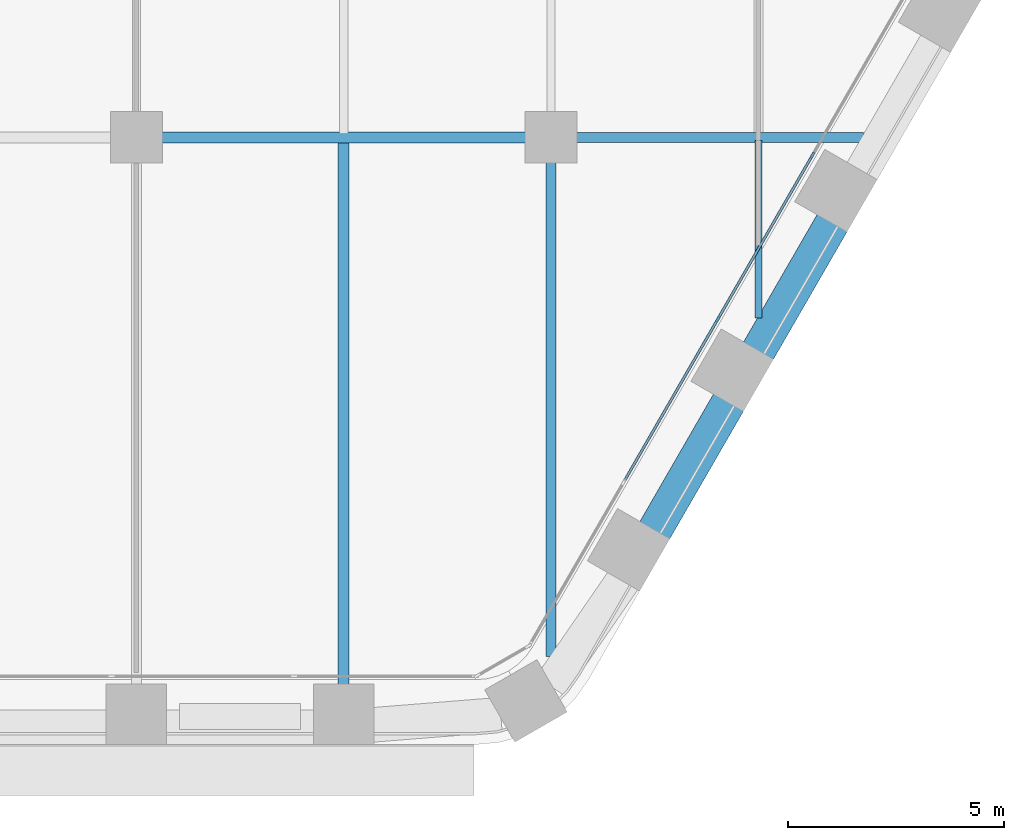
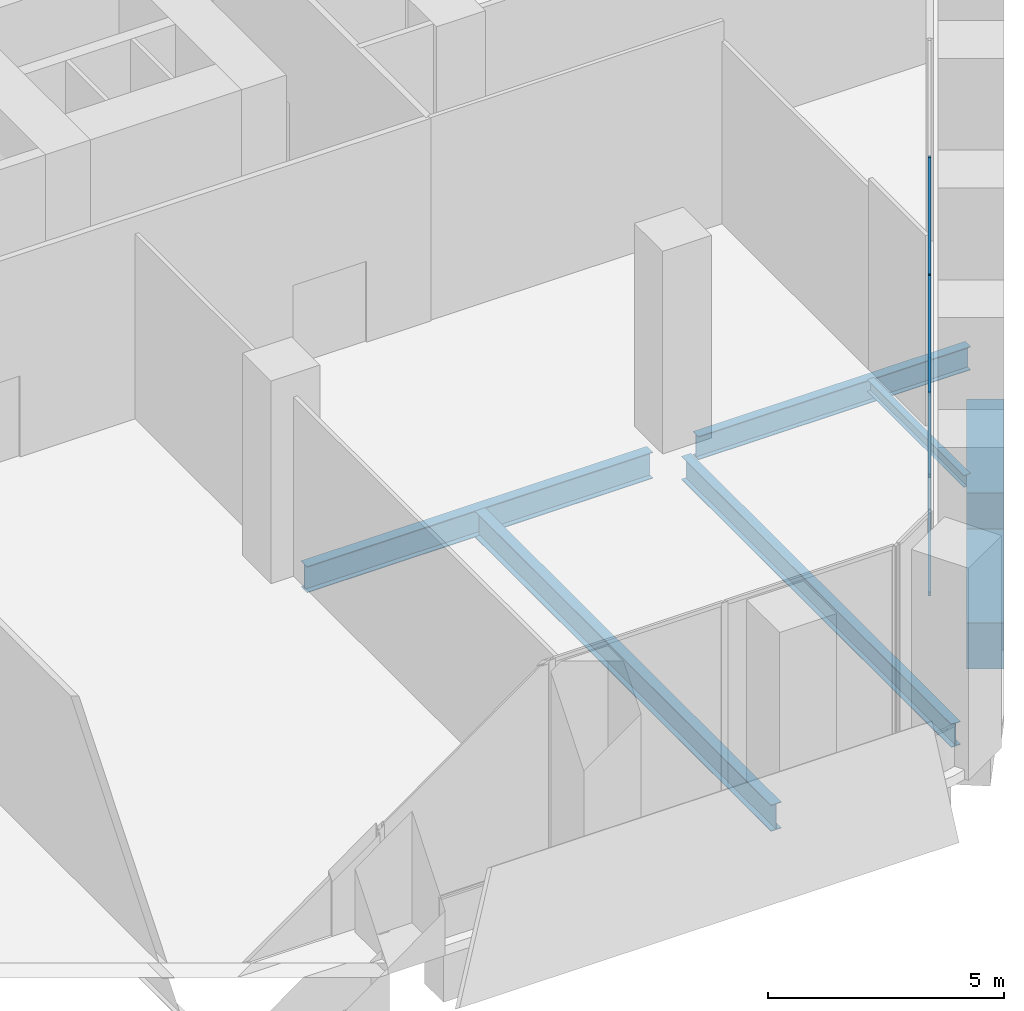
# One storey, part 5 of 27: 7 beams, 6 members, 1 element without a shape of its own.
"""IFC4 building model written with IfcOpenShell, lengths in metres."""

from ifc_helpers import new_model, si_unit, direction, frame, origin, origin_2d, place, context, subcontext, project, spatial, rectangle, i_section, extrude, material, material_profile, profile_set, type_object, element, aggregate, save


model = new_model("IFC4")

# Units and contexts
model_context = context("Model", 3, precision=1e-05, world=origin(), true_north=direction((0.0, 1.0)))
body_context = subcontext(model_context, "Body", "Model", "MODEL_VIEW")
ifc_project = project(units=[si_unit("LENGTHUNIT", "METRE"), si_unit("AREAUNIT", "SQUARE_METRE"), si_unit("VOLUMEUNIT", "CUBIC_METRE"), si_unit("PLANEANGLEUNIT", "RADIAN"), si_unit("MASSUNIT", "GRAM", prefix="KILO")], contexts=[model_context])

# Site, building, storey
site_placement = place(None, origin())
site = spatial("IfcSite", under=ifc_project, at=site_placement, CompositionType="ELEMENT")
building_placement = place(site_placement, origin())
building = spatial("IfcBuilding", under=site, at=building_placement, Name="Kolab Exchange Tower", CompositionType="ELEMENT")
storey_placement = place(building_placement, frame((0.0, 0.0, 49.89990234375)))
storey = spatial("IfcBuildingStorey", under=building, at=storey_placement, Name="L09", CompositionType="ELEMENT", Elevation=49.89990234375)

# Beams
ifc_material_1 = material(Name="Steel S355", Category="steel")
ifc_material_profile_1 = material_profile(ifc_material_1, i_section(OverallWidth=0.1650390625, OverallDepth=0.31005859375, WebThickness=0.005859375, FlangeThickness=0.009765625, at=origin_2d()), Name="W310X39")
ifc_profile_set_1 = profile_set([ifc_material_profile_1], Name="Steel S355")
beam_type_1 = type_object("IfcBeamType", Name="FLOOR BEAM W310X39", PredefinedType="BEAM", material=ifc_profile_set_1)
beam_1_placement = place(storey_placement, frame((24.0, -23.381591796875, -0.40478515625), z_axis=(0.0, 1.0, 0.0), x_axis=(-1.0, 0.0, 0.0)))
element("IfcBeam", 1, at=beam_1_placement, inside=storey, type_object=beam_type_1, Name="beam/L09/fr/052", PredefinedType="BEAM", context=body_context, shape_type="SweptSolid", body=[
    extrude(i_section(OverallWidth=0.1650390625, OverallDepth=0.31005859375, WebThickness=0.005859375, FlangeThickness=0.009765625, at=origin_2d()), origin(), (0.0, 0.0, 1.0), 4.107666015625),
])
ifc_material_profile_2 = material_profile(ifc_material_1, i_section(OverallWidth=0.22802734375, OverallDepth=0.60791015625, WebThickness=0.01123046875, FlangeThickness=0.017333984375, at=origin_2d()), Name="W610X113")
ifc_profile_set_2 = profile_set([ifc_material_profile_2], Name="Steel S355")
beam_type_2 = type_object("IfcBeamType", Name="FLOOR BEAM W610X113", PredefinedType="BEAM", material=ifc_profile_set_2)
beam_2_placement = place(storey_placement, frame((19.199951171875, -31.214599609375, -0.553955078125), z_axis=(0.0, 1.0, 0.0), x_axis=(-1.0, 0.0, 0.0)))
element("IfcBeam", 2, at=beam_2_placement, inside=storey, type_object=beam_type_2, Name="beam/L09/fr/046", PredefinedType="BEAM", context=body_context, shape_type="SweptSolid", body=[
    extrude(i_section(OverallWidth=0.22802734375, OverallDepth=0.60791015625, WebThickness=0.01123046875, FlangeThickness=0.017333984375, at=origin_2d()), origin(), (0.0, 0.0, 1.0), 11.45458984375),
])
ifc_material_profile_3 = material_profile(ifc_material_1, i_section(OverallWidth=0.25390625, OverallDepth=0.68408203125, WebThickness=0.012451171875, FlangeThickness=0.018798828125, at=origin_2d()), Name="W690X140")
ifc_profile_set_3 = profile_set([ifc_material_profile_3], Name="Steel S355")
beam_type_3 = type_object("IfcBeamType", Name="FLOOR BEAM W690X140", PredefinedType="BEAM", material=ifc_profile_set_3)
beam_3_placement = place(storey_placement, frame((14.39990234375, -31.8955078125, -0.591796875), z_axis=(0.0, 1.0, 0.0), x_axis=(-1.0, 0.0, 0.0)))
element("IfcBeam", 3, at=beam_3_placement, inside=storey, type_object=beam_type_3, Name="beam/L09/fr/042", PredefinedType="BEAM", context=body_context, shape_type="SweptSolid", body=[
    extrude(i_section(OverallWidth=0.25390625, OverallDepth=0.68408203125, WebThickness=0.012451171875, FlangeThickness=0.018798828125, at=origin_2d()), origin(), (0.0, 0.0, 1.0), 12.6083984375),
])
ifc_material_profile_4 = material_profile(ifc_material_1, i_section(OverallWidth=0.22802734375, OverallDepth=0.60791015625, WebThickness=0.01123046875, FlangeThickness=0.017333984375, at=origin_2d()), Name="W610X113")
ifc_profile_set_4 = profile_set([ifc_material_profile_4], Name="Steel S355")
beam_type_4 = type_object("IfcBeamType", Name="FLOOR GIRDER W610X113", PredefinedType="BEAM", material=ifc_profile_set_4)
beam_4_placement = place(storey_placement, frame((19.760009765625, -19.199951171875, -0.553955078125), z_axis=(1.0, 0.0, 0.0), x_axis=(0.0, 1.0, 0.0)))
element("IfcBeam", 4, at=beam_4_placement, inside=storey, type_object=beam_type_4, Name="beam/L09/gd/020", PredefinedType="BEAM", context=body_context, shape_type="SweptSolid", body=[
    extrude(i_section(OverallWidth=0.22802734375, OverallDepth=0.60791015625, WebThickness=0.01123046875, FlangeThickness=0.017333984375, at=origin_2d()), origin(), (0.0, 0.0, 1.0), 6.671142578125),
])
ifc_material_profile_5 = material_profile(ifc_material_1, i_section(OverallWidth=0.25390625, OverallDepth=0.68408203125, WebThickness=0.012451171875, FlangeThickness=0.018798828125, at=origin_2d()), Name="W690X140")
ifc_profile_set_5 = profile_set([ifc_material_profile_5], Name="Steel S355")
beam_type_5 = type_object("IfcBeamType", Name="FLOOR GIRDER W690X140", PredefinedType="BEAM", material=ifc_profile_set_5)
beam_5_placement = place(storey_placement, frame((10.159912109375, -19.199951171875, -0.591796875), z_axis=(1.0, 0.0, 0.0), x_axis=(0.0, 1.0, 0.0)))
element("IfcBeam", 5, at=beam_5_placement, inside=storey, type_object=beam_type_5, Name="beam/L09/gd/015", PredefinedType="BEAM", context=body_context, shape_type="SweptSolid", body=[
    extrude(i_section(OverallWidth=0.25390625, OverallDepth=0.68408203125, WebThickness=0.012451171875, FlangeThickness=0.018798828125, at=origin_2d()), origin(), (0.0, 0.0, 1.0), 8.47998046875),
])
ifc_material_2 = material(Name="Concrete C80/95", Category="concrete")
ifc_material_profile_6 = material_profile(ifc_material_2, rectangle(XDim=0.800048828125, YDim=1.199951171875, at=origin_2d()), Name="RC800X1200")
ifc_profile_set_6 = profile_set([ifc_material_profile_6], Name="Concrete C80/95")
beam_type_6 = type_object("IfcBeamType", Name="SPANDREL BEAM 800X1200 C80/95", PredefinedType="BEAM", material=ifc_profile_set_6)
beam_6_placement = place(storey_placement, frame((25.7236328125, -21.15625, -0.849853515625), z_axis=(-0.500009906705, -0.86601968407, 0.0), x_axis=(0.86601968407, -0.500009906705, 0.0)))
element("IfcBeam", 6, at=beam_6_placement, inside=storey, type_object=beam_type_6, Name="beam/L09/sp/F3-06", PredefinedType="BEAM", context=body_context, shape_type="SweptSolid", body=[
    extrude(rectangle(XDim=0.800048828125, YDim=1.199951171875, at=origin_2d()), origin(), (0.0, 0.0, 1.0), 3.47998046875),
])
beam_7_placement = place(storey_placement, frame((23.323486328125, -25.31298828125, -0.849853515625), z_axis=(-0.499979528911, -0.866037222451, 0.0), x_axis=(0.866037222451, -0.499979528911, 0.0)))
element("IfcBeam", 7, at=beam_7_placement, inside=storey, type_object=beam_type_6, Name="beam/L09/sp/F3-07", PredefinedType="BEAM", context=body_context, shape_type="SweptSolid", body=[
    extrude(rectangle(XDim=0.800048828125, YDim=1.199951171875, at=origin_2d()), origin(), (0.0, 0.0, 1.0), 3.480224609375),
])

# Curtain wall, members
ifc_material_3 = material(Name="Aluminium EN AW-6063 T6", Category="aluminium")
curtain_wall_type = type_object("IfcCurtainWallType", Name="UNITISED LOW ZONE CURTAIN WALL", PredefinedType="NOTDEFINED", material=ifc_material_3)
curtain_wall_placement = place(storey_placement, origin())
curtain_wall = element("IfcCurtainWall", 8, at=curtain_wall_placement, inside=storey, type_object=curtain_wall_type, Name="cw/L09/F3-2", PredefinedType="NOTDEFINED")
ifc_material_profile_7 = material_profile(ifc_material_3, rectangle(XDim=0.06005859375, YDim=0.159912109375, at=origin_2d()), Name="RECT 60X160")
ifc_profile_set_7 = profile_set([ifc_material_profile_7], Name="Aluminium EN AW-6063 T6")
member_type_1 = type_object("IfcMemberType", Name="UNITISED LOW ZONE MULLION 60 X 160", PredefinedType="MULLION", material=ifc_profile_set_7)
member_1_placement = place(storey_placement, frame((25.248291015625, -19.61962890625, 0.0), z_axis=(0.0, 0.0, 1.0), x_axis=(0.866025397318, -0.5000000112, 0.0)))
member_1 = element("IfcMember", 9, at=member_1_placement, type_object=member_type_1, Name="CW1 mullion 2", PredefinedType="MULLION", context=body_context, shape_type="SweptSolid", body=[
    extrude(rectangle(XDim=0.06005859375, YDim=0.159912109375, at=origin_2d()), origin(), (0.0, 0.0, 1.0), 5.25),
])
member_2_placement = place(storey_placement, frame((23.064697265625, -23.401611328125, 0.0), z_axis=(0.0, 0.0, 1.0), x_axis=(0.866025397318, -0.5000000112, 0.0)))
member_2 = element("IfcMember", 10, at=member_2_placement, type_object=member_type_1, Name="CW1 mullion 3", PredefinedType="MULLION", context=body_context, shape_type="SweptSolid", body=[
    extrude(rectangle(XDim=0.06005859375, YDim=0.159912109375, at=origin_2d()), origin(), (0.0, 0.0, 1.0), 5.25),
])
ifc_material_profile_8 = material_profile(ifc_material_3, rectangle(XDim=0.06005859375, YDim=0.10009765625, at=origin_2d()), Name="RECT 60X100")
ifc_profile_set_8 = profile_set([ifc_material_profile_8], Name="Aluminium EN AW-6063 T6")
member_type_2 = type_object("IfcMemberType", Name="UNITISED LOW ZONE TRANSOM 60 X 100", PredefinedType="USERDEFINED", material=ifc_profile_set_8)
member_3_placement = place(storey_placement, frame((25.233154296875, -19.6455078125, 0.030029296875), z_axis=(-0.500010313095, -0.866019449435, 0.0), x_axis=(0.866019449435, -0.500010313095, 0.0)))
member_3 = element("IfcMember", 11, at=member_3_placement, type_object=member_type_2, Name="CW1 transom 2.1", ObjectType="TRANSOM", PredefinedType="USERDEFINED", context=body_context, shape_type="SweptSolid", body=[
    extrude(rectangle(XDim=0.06005859375, YDim=0.10009765625, at=origin_2d()), origin(), (0.0, 0.0, 1.0), 4.30712890625),
])
member_4_placement = place(storey_placement, frame((25.233154296875, -19.6455078125, 5.22021484375), z_axis=(-0.500010313095, -0.866019449435, 0.0), x_axis=(0.866019449435, -0.500010313095, 0.0)))
member_4 = element("IfcMember", 12, at=member_4_placement, type_object=member_type_2, Name="CW1 transom 2.2", ObjectType="TRANSOM", PredefinedType="USERDEFINED", context=body_context, shape_type="SweptSolid", body=[
    extrude(rectangle(XDim=0.06005859375, YDim=0.10009765625, at=origin_2d()), origin(), (0.0, 0.0, 1.0), 4.30712890625),
])
member_5_placement = place(storey_placement, frame((23.0498046875, -23.427490234375, 0.030029296875), z_axis=(-0.500010313095, -0.866019449435, 0.0), x_axis=(0.866019449435, -0.500010313095, 0.0)))
member_5 = element("IfcMember", 13, at=member_5_placement, type_object=member_type_2, Name="CW1 transom 3.1", ObjectType="TRANSOM", PredefinedType="USERDEFINED", context=body_context, shape_type="SweptSolid", body=[
    extrude(rectangle(XDim=0.06005859375, YDim=0.10009765625, at=origin_2d()), origin(), (0.0, 0.0, 1.0), 4.30712890625),
])
member_6_placement = place(storey_placement, frame((23.0498046875, -23.427490234375, 5.22021484375), z_axis=(-0.500010313095, -0.866019449435, 0.0), x_axis=(0.866019449435, -0.500010313095, 0.0)))
member_6 = element("IfcMember", 14, at=member_6_placement, type_object=member_type_2, Name="CW1 transom 3.2", ObjectType="TRANSOM", PredefinedType="USERDEFINED", context=body_context, shape_type="SweptSolid", body=[
    extrude(rectangle(XDim=0.06005859375, YDim=0.10009765625, at=origin_2d()), origin(), (0.0, 0.0, 1.0), 4.30712890625),
])
aggregate(curtain_wall, [member_1, member_2, member_3, member_4, member_5, member_6])

save(model, "model.ifc")
